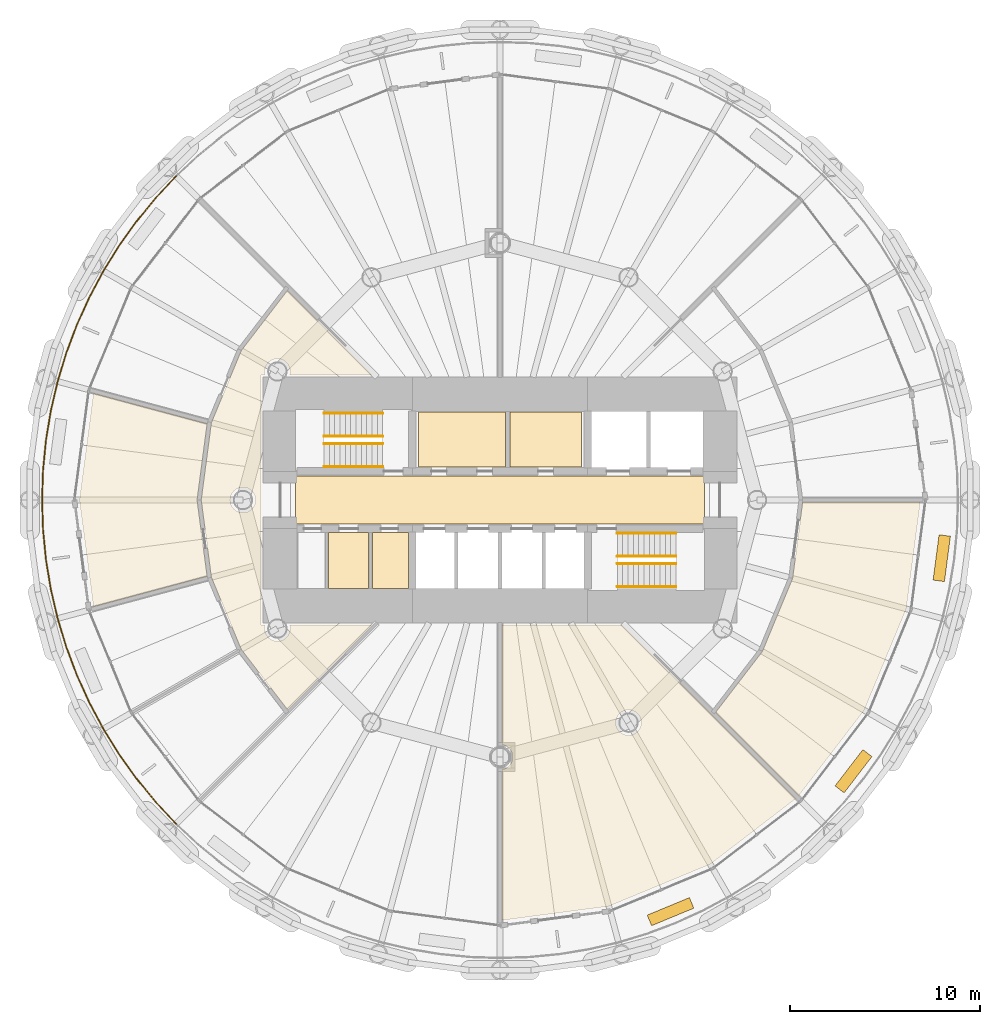
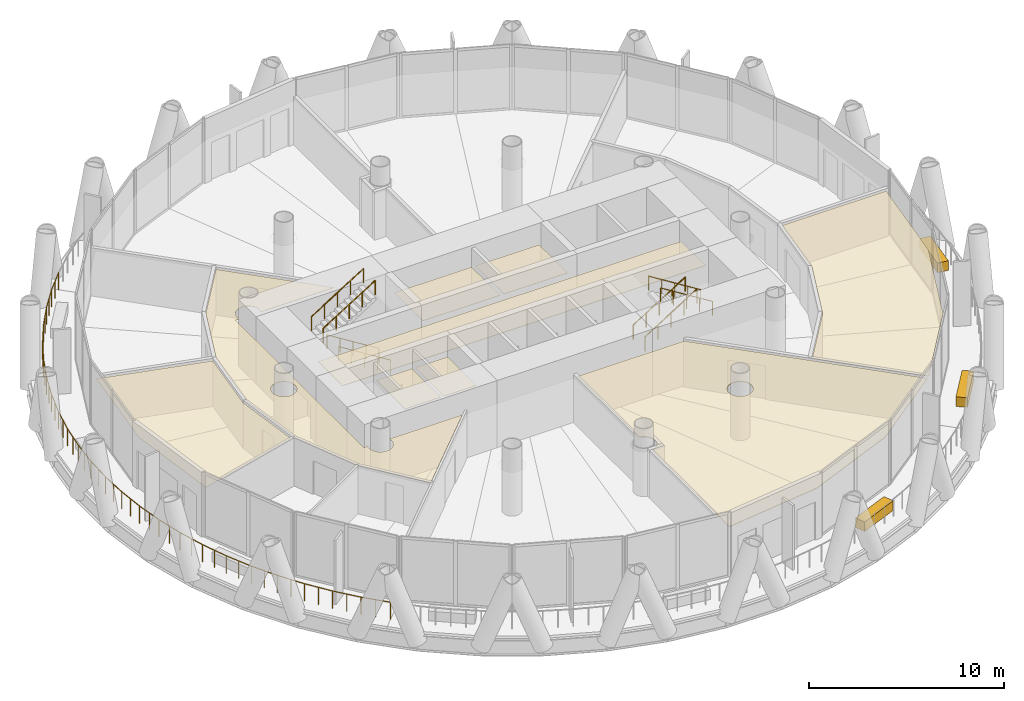
# One storey, part 13 of 15: 12 coverings, 9 railings.
"""IFC4 building model written with IfcOpenShell, lengths in metres."""

import ifcopenshell
import ifcopenshell.guid

model = None  # the IFC model being written
_history = None  # IfcOwnerHistory: only IFC2X3 demands one
_inside = {}  # id of a spatial element -> (the spatial element, [elements in it])
_under = {}  # id of a project, library or spatial element -> (it, [spatial elements below it])
_declared = {}  # id of a project -> (the project, [libraries it declares])
_typed = {}  # id of a type object -> (the type object, [elements of that type])
_made_of = {}  # id of a material, layer set ... -> (it, [elements and type objects made of it])


def new_model(schema):
    """Start an empty IFC model of exactly this schema.

    Asked for "IFC4X3", IfcOpenShell would pick the latest addendum, in which some entities
    have other attributes; the version numbers below select the first issue.
    IFC2X3 requires an IfcOwnerHistory on every rooted entity: one is made here for all.
    """
    global model, _history
    if schema == "IFC4X3":
        model = ifcopenshell.file(schema_version=(4, 3, 0, 0))
    else:
        model = ifcopenshell.file(schema=schema)
    _inside.clear()
    _under.clear()
    _declared.clear()
    _typed.clear()
    _made_of.clear()
    _history = None
    if model.schema == "IFC2X3":
        org = make("IfcOrganization", Name="unknown")
        user = make(
            "IfcPersonAndOrganization",
            ThePerson=make("IfcPerson", FamilyName="unknown"),
            TheOrganization=org,
        )
        app = make(
            "IfcApplication",
            ApplicationDeveloper=org,
            Version="unknown",
            ApplicationFullName="unknown",
            ApplicationIdentifier="unknown",
        )
        _history = make(
            "IfcOwnerHistory",
            OwningUser=user,
            OwningApplication=app,
            ChangeAction="ADDED",
            CreationDate=0,
        )
    return model


def make(cls, **values):
    """One entity of the class cls with the attributes given. An attribute that is None is left unset."""
    return model.create_entity(
        cls, **{name: value for name, value in values.items() if value is not None}
    )


def rooted(cls, **values):
    """An entity with a GlobalId (a new one), such as an element, a storey or a relation."""
    return make(cls, GlobalId=ifcopenshell.guid.new(), OwnerHistory=_history, **values)


def si_unit(unit_type, name, prefix=None):
    """IfcSIUnit, for example si_unit("LENGTHUNIT", "METRE", prefix="MILLI")."""
    return make("IfcSIUnit", UnitType=unit_type, Prefix=prefix, Name=name)


def assignment(units):
    """IfcUnitAssignment: the units of a project."""
    return None if units is None else make("IfcUnitAssignment", Units=units)


def point(xyz):
    """IfcCartesianPoint."""
    return None if xyz is None else make("IfcCartesianPoint", Coordinates=xyz)


def direction(xyz):
    """IfcDirection."""
    return None if xyz is None else make("IfcDirection", DirectionRatios=xyz)


def frame(location, z_axis=None, x_axis=None):
    """IfcAxis2Placement3D, a coordinate frame: its origin and axes. An axis left out is left unset."""
    return make(
        "IfcAxis2Placement3D",
        Location=point(location),
        Axis=direction(z_axis),
        RefDirection=direction(x_axis),
    )


def frame_2d(location, x_axis=None):
    """IfcAxis2Placement2D, a coordinate frame in the plane: its origin and x axis."""
    return make(
        "IfcAxis2Placement2D", Location=point(location), RefDirection=direction(x_axis)
    )


def origin():
    """The frame at (0, 0, 0) with its axes left unset."""
    return frame((0.0, 0.0, 0.0))


def origin_2d():
    """The frame at (0, 0) in the plane with its x axis left unset."""
    return frame_2d((0.0, 0.0))


def place(relative_to, where):
    """IfcLocalPlacement: puts the frame where relative to a parent placement (None: the world)."""
    return make(
        "IfcLocalPlacement", PlacementRelTo=relative_to, RelativePlacement=where
    )


def context(
    kind, dimensions, precision=None, world=None, true_north=None, identifier=None
):
    """IfcGeometricRepresentationContext, for example the 3D "Model" context."""
    return make(
        "IfcGeometricRepresentationContext",
        ContextIdentifier=identifier,
        ContextType=kind,
        CoordinateSpaceDimension=dimensions,
        Precision=precision,
        WorldCoordinateSystem=world,
        TrueNorth=true_north,
    )


def subcontext(parent, identifier, kind, view, scale=None):
    """IfcGeometricRepresentationSubContext, for example "Body" below "Model"."""
    return make(
        "IfcGeometricRepresentationSubContext",
        ContextIdentifier=identifier,
        ContextType=kind,
        ParentContext=parent,
        TargetScale=scale,
        TargetView=view,
    )


def project(units=None, contexts=None):
    """IfcProject with its units and contexts."""
    return rooted(
        "IfcProject",
        Name="project",
        RepresentationContexts=contexts,
        UnitsInContext=assignment(units),
    )


def spatial(cls, under=None, at=None, **own):
    """A site, building, storey or space (cls), placed at a placement, below another one or the project."""
    s = rooted(cls, ObjectPlacement=at, **own)
    if under is not None:
        _under.setdefault(under.id(), (under, []))[1].append(s)
    return s


def polyline(points):
    """IfcPolyline through the points."""
    return make("IfcPolyline", Points=[point(p) for p in points])


def profile(cls, at=None, kind="AREA", **sizes):
    """A parametric profile (cls). Its sizes go by their IFC names, for example OverallWidth=200.0."""
    return make(cls, ProfileType=kind, Position=at, **sizes)


def rectangle(**sizes):
    """IfcRectangleProfileDef."""
    return profile("IfcRectangleProfileDef", **sizes)


def circle(**sizes):
    """IfcCircleProfileDef."""
    return profile("IfcCircleProfileDef", **sizes)


def outline(outer, holes=None, kind="AREA"):
    """IfcArbitraryClosedProfileDef: a profile drawn as a closed curve; with holes, ...WithVoids."""
    if holes is None:
        return make("IfcArbitraryClosedProfileDef", ProfileType=kind, OuterCurve=outer)
    return make(
        "IfcArbitraryProfileDefWithVoids",
        ProfileType=kind,
        OuterCurve=outer,
        InnerCurves=holes,
    )


def extrude(swept, where, along, depth):
    """IfcExtrudedAreaSolid: the profile swept, set in the frame where, extruded along a direction by depth."""
    return make(
        "IfcExtrudedAreaSolid",
        SweptArea=swept,
        Position=where,
        ExtrudedDirection=direction(along),
        Depth=depth,
    )


def shape(context_of_items, identifier, shape_type, items):
    """IfcShapeRepresentation: the items that make up one representation, for example the "Body"."""
    return make(
        "IfcShapeRepresentation",
        ContextOfItems=context_of_items,
        RepresentationIdentifier=identifier,
        RepresentationType=shape_type,
        Items=items,
    )


def material(Name=None, Category=None):
    """IfcMaterial."""
    return make("IfcMaterial", Name=Name, Category=Category)


def layer(
    of_material, thickness, ventilated=None, Name=None, Category=None, Priority=None
):
    """IfcMaterialLayer: one layer of a wall or slab, of a material (None: an air gap)."""
    return make(
        "IfcMaterialLayer",
        Material=of_material,
        LayerThickness=thickness,
        IsVentilated=ventilated,
        Name=Name,
        Category=Category,
        Priority=Priority,
    )


def layer_set(layers, Name=None):
    """IfcMaterialLayerSet."""
    return make("IfcMaterialLayerSet", MaterialLayers=layers, LayerSetName=Name)


def made_of(thing, what):
    """Note that an element or type object is made of a material, layer set ...; save() writes the relation."""
    if what is not None:
        _made_of.setdefault(what.id(), (what, []))[1].append(thing)
    return thing


def type_object(cls, material=None, **own):
    """A type object (cls), such as IfcWallType, which elements share."""
    return made_of(rooted(cls, **own), material)


def element(
    cls,
    number,
    at=None,
    inside=None,
    cuts=None,
    type_object=None,
    material=None,
    context=None,
    identifier="Body",
    shape_type=None,
    held_by="IfcProductDefinitionShape",
    body=None,
    shapes=None,
    **own,
):
    """One element of the class cls, such as IfcWall. Its Tag is "e" and its number.

    at: its placement. inside: the storey or other place that contains it. cuts: it is an
    opening in that element (IfcRelVoidsElement). A single representation is given by context,
    identifier, shape_type and body (its items); several are given by shapes. held_by: the class
    of the entity that holds the representations. save() writes the other relations.
    """
    e = rooted(cls, Tag="e%d" % number, ObjectPlacement=at, **own)
    if body is not None:
        shapes = [shape(context, identifier, shape_type, body)]
    if shapes is not None:
        e.Representation = make(held_by, Representations=shapes)
    if inside is not None:
        _inside.setdefault(inside.id(), (inside, []))[1].append(e)
    if cuts is not None:
        rooted(
            "IfcRelVoidsElement", RelatingBuildingElement=cuts, RelatedOpeningElement=e
        )
    if type_object is not None:
        _typed.setdefault(type_object.id(), (type_object, []))[1].append(e)
    return made_of(e, material)


def aggregate(whole, parts):
    """IfcRelAggregates: a whole, such as a stair, and the parts it consists of."""
    return rooted("IfcRelAggregates", RelatingObject=whole, RelatedObjects=parts)


def save(model, path):
    """Write the relations noted so far, then the file.

    IfcRelAggregates (storeys below a building ...), IfcRelContainedInSpatialStructure (elements
    in a storey), IfcRelDefinesByType, IfcRelAssociatesMaterial and IfcRelDeclares: one each for
    every whole, place, type object, material and project.
    """
    for whole, parts in _under.values():
        aggregate(whole, parts)
    for where, things in _inside.values():
        rooted(
            "IfcRelContainedInSpatialStructure",
            RelatedElements=things,
            RelatingStructure=where,
        )
    for kind, things in _typed.values():
        rooted("IfcRelDefinesByType", RelatedObjects=things, RelatingType=kind)
    for what, things in _made_of.values():
        rooted("IfcRelAssociatesMaterial", RelatedObjects=things, RelatingMaterial=what)
    for by, libraries in _declared.values():
        rooted("IfcRelDeclares", RelatingContext=by, RelatedDefinitions=libraries)
    model.write(path)


model = new_model("IFC4")

# Units and contexts
model_context = context("Model", 3, precision=1e-05, world=origin(), true_north=direction((0.0, 1.0)))
body_context = subcontext(model_context, "Body", "Model", "MODEL_VIEW")
ifc_project = project(units=[si_unit("LENGTHUNIT", "METRE"), si_unit("AREAUNIT", "SQUARE_METRE"), si_unit("VOLUMEUNIT", "CUBIC_METRE"), si_unit("PLANEANGLEUNIT", "RADIAN"), si_unit("MASSUNIT", "GRAM", prefix="KILO")], contexts=[model_context])

# Site, building, storey
site_placement = place(None, origin())
site = spatial("IfcSite", under=ifc_project, at=site_placement, CompositionType="ELEMENT")
building_placement = place(site_placement, origin())
building = spatial("IfcBuilding", under=site, at=building_placement, Name="Qaws Media Tower", CompositionType="ELEMENT")
storey_placement = place(building_placement, frame((0.0, 0.0, 156.199951171875)))
storey = spatial("IfcBuildingStorey", under=building, at=storey_placement, Name="L35", CompositionType="ELEMENT", Elevation=156.199951171875)

# Covering
ifc_material_1 = material(Name="40 perforated acoustic panels with mineral wool backing, suspended", Category="mineral fibre")
ifc_layer_1 = layer(ifc_material_1, 0.0400390625)
ifc_layer_set_1 = layer_set([ifc_layer_1], Name="Acoustic panel ceiling 40")
covering_type_1 = type_object("IfcCoveringType", Name="Acoustic panel ceiling 40", PredefinedType="CEILING", material=ifc_layer_set_1)
covering_1_placement = place(storey_placement, frame((0.0, 0.0, 2.85009765625)))
element("IfcCovering", 1, at=covering_1_placement, inside=storey, type_object=covering_type_1, Name="CL3 ceiling L35-10 IT training room", PredefinedType="CEILING", context=body_context, shape_type="SweptSolid", body=[
    extrude(outline(polyline([(71.04248046875, 30.87353515625), (65.716064453125, 28.667236328125), (60.112548828125, 27.9296875), (60.112548828125, 35.8427734375), (60.1728515625, 35.854736328125), (60.255615234375, 35.8828125), (60.333984375, 35.92138671875), (60.40673828125, 35.969970703125), (60.472412109375, 36.027587890625), (60.530029296875, 36.09326171875), (60.57861328125, 36.166015625), (60.6171875, 36.244384765625), (60.645263671875, 36.3271484375), (60.662353515625, 36.412841796875), (60.66796875, 36.5), (60.662353515625, 36.587158203125), (60.645263671875, 36.6728515625), (60.6171875, 36.755615234375), (60.57861328125, 36.833984375), (60.530029296875, 36.90673828125), (60.472412109375, 36.972412109375), (60.40673828125, 37.030029296875), (60.333984375, 37.07861328125), (60.255615234375, 37.1171875), (60.1728515625, 37.145263671875), (60.112548828125, 37.1572265625), (60.112548828125, 43.4375), (66.4033203125, 43.4375), (75.526611328125, 34.314208984375), (71.04248046875, 30.87353515625)]), holes=[polyline([(67.3671875, 38.052978515625), (67.395263671875, 38.1357421875), (67.412353515625, 38.221435546875), (67.41796875, 38.30859375), (67.412353515625, 38.395751953125), (67.395263671875, 38.4814453125), (67.3671875, 38.564208984375), (67.32861328125, 38.642578125), (67.280029296875, 38.71533203125), (67.222412109375, 38.781005859375), (67.15673828125, 38.838623046875), (67.083984375, 38.88720703125), (67.005615234375, 38.92578125), (66.9228515625, 38.953857421875), (66.837158203125, 38.970947265625), (66.75, 38.976806640625), (66.662841796875, 38.970947265625), (66.5771484375, 38.953857421875), (66.494384765625, 38.92578125), (66.416015625, 38.88720703125), (66.34326171875, 38.838623046875), (66.277587890625, 38.781005859375), (66.219970703125, 38.71533203125), (66.17138671875, 38.642578125), (66.1328125, 38.564208984375), (66.104736328125, 38.4814453125), (66.087646484375, 38.395751953125), (66.08203125, 38.30859375), (66.087646484375, 38.221435546875), (66.104736328125, 38.1357421875), (66.1328125, 38.052978515625), (66.17138671875, 37.974609375), (66.219970703125, 37.902099609375), (66.277587890625, 37.836181640625), (66.34326171875, 37.77880859375), (66.416015625, 37.730224609375), (66.494384765625, 37.69140625), (66.5771484375, 37.663330078125), (66.662841796875, 37.646484375), (66.75, 37.640625), (66.837158203125, 37.646484375), (66.9228515625, 37.663330078125), (67.005615234375, 37.69140625), (67.083984375, 37.730224609375), (67.15673828125, 37.77880859375), (67.222412109375, 37.836181640625), (67.280029296875, 37.902099609375), (67.32861328125, 37.974609375), (67.3671875, 38.052978515625)])]), origin(), (0.0, 0.0, 1.0), 0.0400390625),
])

# Railing
ifc_material_2 = material(Name="Stainless steel and glass guard", Category="steel")
railing_type_1 = type_object("IfcRailingType", Name="Balcony guard 1100", PredefinedType="GUARDRAIL", material=ifc_material_2)
railing_placement = place(storey_placement, frame((42.994140625, 67.005859375, 0.0)))
element("IfcRailing", 2, at=railing_placement, inside=storey, type_object=railing_type_1, Name="GR1 balcony guard L35-2", PredefinedType="GUARDRAIL", context=body_context, shape_type="SweptSolid", body=[
    extrude(circle(Radius=0.02392578125, at=origin_2d()), frame((0.0, 0.0, 1.076171875), z_axis=(-0.683615985201, -0.729841890259, 0.0), x_axis=(0.729841890259, -0.683615985201, 0.0)), (0.0, 0.0, 1.0), 1.573974609375),
    extrude(circle(Radius=0.02392578125, at=origin_2d()), frame((-1.075927734375, -1.148681640625, 1.076171875), z_axis=(-0.634352271014, -0.773044110164, 0.0), x_axis=(0.773044110164, -0.634352271014, 0.0)), (0.0, 0.0, 1.0), 1.57373046875),
    extrude(circle(Radius=0.02392578125, at=origin_2d()), frame((-2.07421875, -2.365234375, 1.076171875), z_axis=(-0.582558231621, -0.812788968165, 0.0), x_axis=(0.812788968165, -0.582558231621, 0.0)), (0.0, 0.0, 1.0), 1.57373046875),
    extrude(circle(Radius=0.02392578125, at=origin_2d()), frame((-2.990966796875, -3.644287109375, 1.076171875), z_axis=(-0.52800366673, -0.84924209029, 0.0), x_axis=(0.84924209029, -0.52800366673, 0.0)), (0.0, 0.0, 1.0), 1.573974609375),
    extrude(circle(Radius=0.02392578125, at=origin_2d()), frame((-3.822021484375, -4.98095703125, 1.076171875), z_axis=(-0.471433439055, -0.881901645616, 0.0), x_axis=(0.881901645616, -0.471433439055, 0.0)), (0.0, 0.0, 1.0), 1.57373046875),
    extrude(circle(Radius=0.02392578125, at=origin_2d()), frame((-4.56396484375, -6.368896484375, 1.076171875), z_axis=(-0.412692163403, -0.910870560654, 0.0), x_axis=(0.910870560654, -0.412692163403, 0.0)), (0.0, 0.0, 1.0), 1.573486328125),
    extrude(circle(Radius=0.02392578125, at=origin_2d()), frame((-5.21337890625, -7.80224609375, 1.076171875), z_axis=(-0.352296190405, -0.935888558658, 0.0), x_axis=(0.935888558658, -0.352296190405, 0.0)), (0.0, 0.0, 1.0), 1.57373046875),
    extrude(circle(Radius=0.02392578125, at=origin_2d()), frame((-5.767822265625, -9.275146484375, 1.076171875), z_axis=(-0.290235570838, -0.956955230625, 0.0), x_axis=(0.956955230625, -0.290235570838, 0.0)), (0.0, 0.0, 1.0), 1.57373046875),
    extrude(circle(Radius=0.02392578125, at=origin_2d()), frame((-6.224609375, -10.78125, 1.076171875), z_axis=(-0.227102114156, -0.973870951279, 0.0), x_axis=(0.973870951279, -0.227102114156, 0.0)), (0.0, 0.0, 1.0), 1.57373046875),
    extrude(circle(Radius=0.02392578125, at=origin_2d()), frame((-6.58203125, -12.31396484375, 1.076171875), z_axis=(-0.16288939503, -0.986644335608, 0.0), x_axis=(0.986644335608, -0.16288939503, 0.0)), (0.0, 0.0, 1.0), 1.57373046875),
    extrude(circle(Radius=0.02392578125, at=origin_2d()), frame((-6.83837890625, -13.86669921875, 1.076171875), z_axis=(-0.098044434613, -0.995182038042, 0.0), x_axis=(0.995182038042, -0.098044434613, 0.0)), (0.0, 0.0, 1.0), 1.57373046875),
    extrude(circle(Radius=0.02392578125, at=origin_2d()), frame((-6.99267578125, -15.432861328125, 1.076171875), z_axis=(-0.032731172502, -0.999464191628, 0.0), x_axis=(0.999464191628, -0.032731172502, 0.0)), (0.0, 0.0, 1.0), 1.57373046875),
    extrude(circle(Radius=0.02392578125, at=origin_2d()), frame((-7.044189453125, -17.005859375, 1.076171875), z_axis=(0.032731172502, -0.999464191628, 0.0), x_axis=(0.999464191628, 0.032731172502, 0.0)), (0.0, 0.0, 1.0), 1.57373046875),
    extrude(circle(Radius=0.02392578125, at=origin_2d()), frame((-6.99267578125, -18.578857421875, 1.076171875), z_axis=(0.098044434613, -0.995182038042, 0.0), x_axis=(0.995182038042, 0.098044434613, 0.0)), (0.0, 0.0, 1.0), 1.57373046875),
    extrude(circle(Radius=0.02392578125, at=origin_2d()), frame((-6.83837890625, -20.14501953125, 1.076171875), z_axis=(0.16288939503, -0.986644335608, 0.0), x_axis=(0.986644335608, 0.16288939503, 0.0)), (0.0, 0.0, 1.0), 1.57373046875),
    extrude(circle(Radius=0.02392578125, at=origin_2d()), frame((-6.58203125, -21.69775390625, 1.076171875), z_axis=(0.227102114156, -0.973870951279, 0.0), x_axis=(0.973870951279, 0.227102114156, 0.0)), (0.0, 0.0, 1.0), 1.57373046875),
    extrude(circle(Radius=0.02392578125, at=origin_2d()), frame((-6.224609375, -23.23046875, 1.076171875), z_axis=(0.290235570838, -0.956955230625, 0.0), x_axis=(0.956955230625, 0.290235570838, 0.0)), (0.0, 0.0, 1.0), 1.57373046875),
    extrude(circle(Radius=0.02392578125, at=origin_2d()), frame((-5.767822265625, -24.736572265625, 1.076171875), z_axis=(0.352296190405, -0.935888558658, 0.0), x_axis=(0.935888558658, 0.352296190405, 0.0)), (0.0, 0.0, 1.0), 1.57373046875),
    extrude(circle(Radius=0.02392578125, at=origin_2d()), frame((-5.21337890625, -26.20947265625, 1.076171875), z_axis=(0.412692163403, -0.910870560654, 0.0), x_axis=(0.910870560654, 0.412692163403, 0.0)), (0.0, 0.0, 1.0), 1.573486328125),
    extrude(circle(Radius=0.02392578125, at=origin_2d()), frame((-4.56396484375, -27.642822265625, 1.076171875), z_axis=(0.471433439055, -0.881901645616, 0.0), x_axis=(0.881901645616, 0.471433439055, 0.0)), (0.0, 0.0, 1.0), 1.57373046875),
    extrude(circle(Radius=0.02392578125, at=origin_2d()), frame((-3.822021484375, -29.03076171875, 1.076171875), z_axis=(0.52800366673, -0.84924209029, 0.0), x_axis=(0.84924209029, 0.52800366673, 0.0)), (0.0, 0.0, 1.0), 1.573974609375),
    extrude(circle(Radius=0.02392578125, at=origin_2d()), frame((-2.990966796875, -30.367431640625, 1.076171875), z_axis=(0.582558231621, -0.812788968165, 0.0), x_axis=(0.812788968165, 0.582558231621, 0.0)), (0.0, 0.0, 1.0), 1.57373046875),
    extrude(circle(Radius=0.02392578125, at=origin_2d()), frame((-2.07421875, -31.646484375, 1.076171875), z_axis=(0.634352271014, -0.773044110164, 0.0), x_axis=(0.773044110164, 0.634352271014, 0.0)), (0.0, 0.0, 1.0), 1.57373046875),
    extrude(circle(Radius=0.02392578125, at=origin_2d()), frame((-1.075927734375, -32.863037109375, 1.076171875), z_axis=(0.683615985201, -0.729841890259, 0.0), x_axis=(0.729841890259, 0.683615985201, 0.0)), (0.0, 0.0, 1.0), 1.573974609375),
    extrude(circle(Radius=0.02099609375, at=origin_2d()), origin(), (0.0, 0.0, 1.0), 1.052001953125),
    extrude(circle(Radius=0.02099609375, at=origin_2d()), frame((-0.5380859375, -0.57421875, 0.0)), (0.0, 0.0, 1.0), 1.052001953125),
    extrude(circle(Radius=0.02099609375, at=origin_2d()), frame((-1.075927734375, -1.148681640625, 0.0)), (0.0, 0.0, 1.0), 1.052001953125),
    extrude(circle(Radius=0.02099609375, at=origin_2d()), frame((-1.5751953125, -1.7568359375, 0.0)), (0.0, 0.0, 1.0), 1.052001953125),
    extrude(circle(Radius=0.02099609375, at=origin_2d()), frame((-2.07421875, -2.365234375, 0.0)), (0.0, 0.0, 1.0), 1.052001953125),
    extrude(circle(Radius=0.02099609375, at=origin_2d()), frame((-2.53271484375, -3.0048828125, 0.0)), (0.0, 0.0, 1.0), 1.052001953125),
    extrude(circle(Radius=0.02099609375, at=origin_2d()), frame((-2.990966796875, -3.644287109375, 0.0)), (0.0, 0.0, 1.0), 1.052001953125),
    extrude(circle(Radius=0.02099609375, at=origin_2d()), frame((-3.406494140625, -4.3125, 0.0)), (0.0, 0.0, 1.0), 1.052001953125),
    extrude(circle(Radius=0.02099609375, at=origin_2d()), frame((-3.822021484375, -4.98095703125, 0.0)), (0.0, 0.0, 1.0), 1.052001953125),
    extrude(circle(Radius=0.02099609375, at=origin_2d()), frame((-4.19287109375, -5.6748046875, 0.0)), (0.0, 0.0, 1.0), 1.052001953125),
    extrude(circle(Radius=0.02099609375, at=origin_2d()), frame((-4.56396484375, -6.368896484375, 0.0)), (0.0, 0.0, 1.0), 1.052001953125),
    extrude(circle(Radius=0.02099609375, at=origin_2d()), frame((-4.888671875, -7.08544921875, 0.0)), (0.0, 0.0, 1.0), 1.052001953125),
    extrude(circle(Radius=0.02099609375, at=origin_2d()), frame((-5.21337890625, -7.80224609375, 0.0)), (0.0, 0.0, 1.0), 1.052001953125),
    extrude(circle(Radius=0.02099609375, at=origin_2d()), frame((-5.49072265625, -8.53857421875, 0.0)), (0.0, 0.0, 1.0), 1.052001953125),
    extrude(circle(Radius=0.02099609375, at=origin_2d()), frame((-5.767822265625, -9.275146484375, 0.0)), (0.0, 0.0, 1.0), 1.052001953125),
    extrude(circle(Radius=0.02099609375, at=origin_2d()), frame((-5.99609375, -10.0283203125, 0.0)), (0.0, 0.0, 1.0), 1.052001953125),
    extrude(circle(Radius=0.02099609375, at=origin_2d()), frame((-6.224609375, -10.78125, 0.0)), (0.0, 0.0, 1.0), 1.052001953125),
    extrude(circle(Radius=0.02099609375, at=origin_2d()), frame((-6.4033203125, -11.547607421875, 0.0)), (0.0, 0.0, 1.0), 1.052001953125),
    extrude(circle(Radius=0.02099609375, at=origin_2d()), frame((-6.58203125, -12.31396484375, 0.0)), (0.0, 0.0, 1.0), 1.052001953125),
    extrude(circle(Radius=0.02099609375, at=origin_2d()), frame((-6.710205078125, -13.09033203125, 0.0)), (0.0, 0.0, 1.0), 1.052001953125),
    extrude(circle(Radius=0.02099609375, at=origin_2d()), frame((-6.83837890625, -13.86669921875, 0.0)), (0.0, 0.0, 1.0), 1.052001953125),
    extrude(circle(Radius=0.02099609375, at=origin_2d()), frame((-6.91552734375, -14.64990234375, 0.0)), (0.0, 0.0, 1.0), 1.052001953125),
    extrude(circle(Radius=0.02099609375, at=origin_2d()), frame((-6.99267578125, -15.432861328125, 0.0)), (0.0, 0.0, 1.0), 1.052001953125),
    extrude(circle(Radius=0.02099609375, at=origin_2d()), frame((-7.0185546875, -16.21923828125, 0.0)), (0.0, 0.0, 1.0), 1.052001953125),
    extrude(circle(Radius=0.02099609375, at=origin_2d()), frame((-7.044189453125, -17.005859375, 0.0)), (0.0, 0.0, 1.0), 1.052001953125),
    extrude(circle(Radius=0.02099609375, at=origin_2d()), frame((-7.0185546875, -17.79248046875, 0.0)), (0.0, 0.0, 1.0), 1.052001953125),
    extrude(circle(Radius=0.02099609375, at=origin_2d()), frame((-6.99267578125, -18.578857421875, 0.0)), (0.0, 0.0, 1.0), 1.052001953125),
    extrude(circle(Radius=0.02099609375, at=origin_2d()), frame((-6.91552734375, -19.36181640625, 0.0)), (0.0, 0.0, 1.0), 1.052001953125),
    extrude(circle(Radius=0.02099609375, at=origin_2d()), frame((-6.83837890625, -20.14501953125, 0.0)), (0.0, 0.0, 1.0), 1.052001953125),
    extrude(circle(Radius=0.02099609375, at=origin_2d()), frame((-6.710205078125, -20.92138671875, 0.0)), (0.0, 0.0, 1.0), 1.052001953125),
    extrude(circle(Radius=0.02099609375, at=origin_2d()), frame((-6.58203125, -21.69775390625, 0.0)), (0.0, 0.0, 1.0), 1.052001953125),
    extrude(circle(Radius=0.02099609375, at=origin_2d()), frame((-6.4033203125, -22.464111328125, 0.0)), (0.0, 0.0, 1.0), 1.052001953125),
    extrude(circle(Radius=0.02099609375, at=origin_2d()), frame((-6.224609375, -23.23046875, 0.0)), (0.0, 0.0, 1.0), 1.052001953125),
    extrude(circle(Radius=0.02099609375, at=origin_2d()), frame((-5.99609375, -23.9833984375, 0.0)), (0.0, 0.0, 1.0), 1.052001953125),
    extrude(circle(Radius=0.02099609375, at=origin_2d()), frame((-5.767822265625, -24.736572265625, 0.0)), (0.0, 0.0, 1.0), 1.052001953125),
    extrude(circle(Radius=0.02099609375, at=origin_2d()), frame((-5.49072265625, -25.47314453125, 0.0)), (0.0, 0.0, 1.0), 1.052001953125),
    extrude(circle(Radius=0.02099609375, at=origin_2d()), frame((-5.21337890625, -26.20947265625, 0.0)), (0.0, 0.0, 1.0), 1.052001953125),
    extrude(circle(Radius=0.02099609375, at=origin_2d()), frame((-4.888671875, -26.92626953125, 0.0)), (0.0, 0.0, 1.0), 1.052001953125),
    extrude(circle(Radius=0.02099609375, at=origin_2d()), frame((-4.56396484375, -27.642822265625, 0.0)), (0.0, 0.0, 1.0), 1.052001953125),
    extrude(circle(Radius=0.02099609375, at=origin_2d()), frame((-4.19287109375, -28.3369140625, 0.0)), (0.0, 0.0, 1.0), 1.052001953125),
    extrude(circle(Radius=0.02099609375, at=origin_2d()), frame((-3.822021484375, -29.03076171875, 0.0)), (0.0, 0.0, 1.0), 1.052001953125),
    extrude(circle(Radius=0.02099609375, at=origin_2d()), frame((-3.406494140625, -29.69921875, 0.0)), (0.0, 0.0, 1.0), 1.052001953125),
    extrude(circle(Radius=0.02099609375, at=origin_2d()), frame((-2.990966796875, -30.367431640625, 0.0)), (0.0, 0.0, 1.0), 1.052001953125),
    extrude(circle(Radius=0.02099609375, at=origin_2d()), frame((-2.53271484375, -31.0068359375, 0.0)), (0.0, 0.0, 1.0), 1.052001953125),
    extrude(circle(Radius=0.02099609375, at=origin_2d()), frame((-2.07421875, -31.646484375, 0.0)), (0.0, 0.0, 1.0), 1.052001953125),
    extrude(circle(Radius=0.02099609375, at=origin_2d()), frame((-1.5751953125, -32.2548828125, 0.0)), (0.0, 0.0, 1.0), 1.052001953125),
    extrude(circle(Radius=0.02099609375, at=origin_2d()), frame((-1.075927734375, -32.863037109375, 0.0)), (0.0, 0.0, 1.0), 1.052001953125),
    extrude(circle(Radius=0.02099609375, at=origin_2d()), frame((-0.5380859375, -33.4375, 0.0)), (0.0, 0.0, 1.0), 1.052001953125),
    extrude(circle(Radius=0.02099609375, at=origin_2d()), frame((0.0, -34.01171875, 0.0)), (0.0, 0.0, 1.0), 1.052001953125),
])

# Coverings
ifc_material_3 = material(Name="600 x 600 mineral fibre tiles in exposed grid, suspended", Category="mineral fibre")
ifc_layer_2 = layer(ifc_material_3, 0.02001953125)
ifc_layer_set_2 = layer_set([ifc_layer_2], Name="Mineral fibre tile ceiling 20")
covering_type_2 = type_object("IfcCoveringType", Name="Mineral fibre tile ceiling 20", PredefinedType="CEILING", material=ifc_layer_set_2)
covering_2_placement = place(storey_placement, frame((0.0, 0.0, 2.85009765625)))
element("IfcCovering", 3, at=covering_2_placement, inside=storey, type_object=covering_type_2, Name="CL1 ceiling L35-C07 Ladies toilets", PredefinedType="CEILING", context=body_context, shape_type="SweptSolid", body=[
    extrude(outline(polyline([(55.719970703125, 51.719970703125), (55.719970703125, 54.6298828125), (60.280029296875, 54.6298828125), (60.280029296875, 51.719970703125), (55.719970703125, 51.719970703125)])), origin(), (0.0, 0.0, 1.0), 0.02001953125),
])
covering_3_placement = place(storey_placement, frame((0.0, 0.0, 2.85009765625)))
element("IfcCovering", 4, at=covering_3_placement, inside=storey, type_object=covering_type_2, Name="CL1 ceiling L35-C08 Gents toilets", PredefinedType="CEILING", context=body_context, shape_type="SweptSolid", body=[
    extrude(outline(polyline([(60.52001953125, 51.719970703125), (60.52001953125, 54.6298828125), (64.280029296875, 54.6298828125), (64.280029296875, 51.719970703125), (60.52001953125, 51.719970703125)])), origin(), (0.0, 0.0, 1.0), 0.02001953125),
])
covering_4_placement = place(storey_placement, frame((0.0, 0.0, 2.85009765625)))
element("IfcCovering", 5, at=covering_4_placement, inside=storey, type_object=covering_type_2, Name="CL1 ceiling L35-01-1 Corridor", PredefinedType="CEILING", context=body_context, shape_type="SweptSolid", body=[
    extrude(outline(polyline([(44.3134765625, 50.0), (44.847900390625, 54.06005859375), (46.4150390625, 57.84326171875), (48.8388671875, 61.001953125), (53.2783203125, 56.5625), (48.948974609375, 56.5625), (48.953857421875, 56.5771484375), (48.970947265625, 56.662841796875), (48.976806640625, 56.75), (48.970947265625, 56.837158203125), (48.953857421875, 56.9228515625), (48.92578125, 57.005615234375), (48.88720703125, 57.083984375), (48.838623046875, 57.15673828125), (48.781005859375, 57.222412109375), (48.71533203125, 57.280029296875), (48.642578125, 57.32861328125), (48.564208984375, 57.3671875), (48.4814453125, 57.395263671875), (48.395751953125, 57.412353515625), (48.30859375, 57.41796875), (48.221435546875, 57.412353515625), (48.1357421875, 57.395263671875), (48.052978515625, 57.3671875), (47.974609375, 57.32861328125), (47.902099609375, 57.280029296875), (47.836181640625, 57.222412109375), (47.77880859375, 57.15673828125), (47.730224609375, 57.083984375), (47.69140625, 57.005615234375), (47.663330078125, 56.9228515625), (47.646484375, 56.837158203125), (47.640625, 56.75), (47.646484375, 56.662841796875), (47.663330078125, 56.5771484375), (47.66845703125, 56.5625), (47.4375, 56.5625), (47.4375, 43.4375), (47.66845703125, 43.4375), (47.663330078125, 43.4228515625), (47.646484375, 43.337158203125), (47.640625, 43.25), (47.646484375, 43.162841796875), (47.663330078125, 43.0771484375), (47.69140625, 42.994384765625), (47.730224609375, 42.916015625), (47.77880859375, 42.84326171875), (47.836181640625, 42.777587890625), (47.902099609375, 42.719970703125), (47.974609375, 42.67138671875), (48.052978515625, 42.6328125), (48.1357421875, 42.604736328125), (48.221435546875, 42.587646484375), (48.30859375, 42.58203125), (48.395751953125, 42.587646484375), (48.4814453125, 42.604736328125), (48.564208984375, 42.6328125), (48.642578125, 42.67138671875), (48.71533203125, 42.719970703125), (48.781005859375, 42.777587890625), (48.838623046875, 42.84326171875), (48.88720703125, 42.916015625), (48.92578125, 42.994384765625), (48.953857421875, 43.0771484375), (48.970947265625, 43.162841796875), (48.976806640625, 43.25), (48.970947265625, 43.337158203125), (48.953857421875, 43.4228515625), (48.948974609375, 43.4375), (53.2783203125, 43.4375), (48.8388671875, 38.998046875), (46.4150390625, 42.15673828125), (44.847900390625, 45.93994140625), (44.3134765625, 50.0)]), holes=[polyline([(47.1171875, 49.744384765625), (47.145263671875, 49.8271484375), (47.162353515625, 49.912841796875), (47.16796875, 50.0), (47.162353515625, 50.087158203125), (47.145263671875, 50.1728515625), (47.1171875, 50.255615234375), (47.07861328125, 50.333984375), (47.030029296875, 50.40673828125), (46.972412109375, 50.472412109375), (46.90673828125, 50.530029296875), (46.833984375, 50.57861328125), (46.755615234375, 50.6171875), (46.6728515625, 50.645263671875), (46.587158203125, 50.662353515625), (46.5, 50.66796875), (46.412841796875, 50.662353515625), (46.3271484375, 50.645263671875), (46.244384765625, 50.6171875), (46.166015625, 50.57861328125), (46.09326171875, 50.530029296875), (46.027587890625, 50.472412109375), (45.969970703125, 50.40673828125), (45.92138671875, 50.333984375), (45.8828125, 50.255615234375), (45.854736328125, 50.1728515625), (45.837646484375, 50.087158203125), (45.83203125, 50.0), (45.837646484375, 49.912841796875), (45.854736328125, 49.8271484375), (45.8828125, 49.744384765625), (45.92138671875, 49.666015625), (45.969970703125, 49.59326171875), (46.027587890625, 49.527587890625), (46.09326171875, 49.469970703125), (46.166015625, 49.42138671875), (46.244384765625, 49.3828125), (46.3271484375, 49.354736328125), (46.412841796875, 49.337646484375), (46.5, 49.33203125), (46.587158203125, 49.337646484375), (46.6728515625, 49.354736328125), (46.755615234375, 49.3828125), (46.833984375, 49.42138671875), (46.90673828125, 49.469970703125), (46.972412109375, 49.527587890625), (47.030029296875, 49.59326171875), (47.07861328125, 49.666015625), (47.1171875, 49.744384765625)])]), origin(), (0.0, 0.0, 1.0), 0.02001953125),
])
covering_5_placement = place(storey_placement, frame((0.0, 0.0, 2.85009765625)))
element("IfcCovering", 6, at=covering_5_placement, inside=storey, type_object=covering_type_2, Name="CL1 ceiling L35-06 Server room", PredefinedType="CEILING", context=body_context, shape_type="SweptSolid", body=[
    extrude(outline(polyline([(37.914794921875, 50.0), (38.652587890625, 55.603515625), (44.614013671875, 54.006103515625), (44.08642578125, 50.0), (44.614013671875, 45.993896484375), (38.652587890625, 44.396484375), (37.914794921875, 50.0)])), origin(), (0.0, 0.0, 1.0), 0.02001953125),
])
covering_6_placement = place(storey_placement, frame((0.0, 0.0, 2.85009765625)))
element("IfcCovering", 7, at=covering_6_placement, inside=storey, type_object=covering_type_2, Name="CL1 ceiling L35-C06 Mothers' room", PredefinedType="CEILING", context=body_context, shape_type="SweptSolid", body=[
    extrude(outline(polyline([(53.300048828125, 45.35009765625), (53.300048828125, 48.300048828125), (55.199951171875, 48.300048828125), (55.199951171875, 45.35009765625), (53.300048828125, 45.35009765625)])), origin(), (0.0, 0.0, 1.0), 0.02001953125),
])
ifc_material_4 = material(Name="Precast concrete planter with trailing planting", Category="concrete")
ifc_layer_3 = layer(ifc_material_4, 0.60009765625)
ifc_layer_set_3 = layer_set([ifc_layer_3], Name="Planter 2400x600")
covering_type_3 = type_object("IfcCoveringType", Name="Planter 2400x600", PredefinedType="USERDEFINED", material=ifc_layer_set_3)
for number, where, z_axis, x_axis, name in (
    (8, (68.954833984375, 28.381103515625, 0.0), (0.0, 0.0, 1.0), (0.923879532511, 0.382683432365, 0.0), "PL1 balcony planter L35-10"),
    (9, (78.564453125, 35.7548828125, 0.0), (0.0, 0.0, 1.0), (0.608761429009, 0.793353340291, 0.0), "PL1 balcony planter L35-11"),
    (10, (83.19970703125, 46.94580078125, 0.0), (0.0, 0.0, 1.0), (0.13052619222, 0.991444861374, 0.0), "PL1 balcony planter L35-12"),
):
    element("IfcCovering", number, at=place(storey_placement, frame(where, z_axis=z_axis, x_axis=x_axis)), inside=storey, type_object=covering_type_3, Name=name, ObjectType="PLANTER", PredefinedType="USERDEFINED", context=body_context, shape_type="SweptSolid", body=[
        extrude(rectangle(XDim=2.39990234375, YDim=0.60009765625, at=origin_2d()), origin(), (0.0, 0.0, 1.0), 0.60009765625),
    ])
ifc_material_5 = material(Name="Two layers 12.5 moisture-resistant plasterboard on suspended metal furring", Category="gypsum")
ifc_layer_4 = layer(ifc_material_5, 0.02490234375)
ifc_layer_set_4 = layer_set([ifc_layer_4], Name="Plasterboard ceiling 25")
covering_type_4 = type_object("IfcCoveringType", Name="Plasterboard ceiling 25", PredefinedType="CEILING", material=ifc_layer_set_4)
covering_7_placement = place(storey_placement, frame((0.0, 0.0, 2.85009765625)))
element("IfcCovering", 11, at=covering_7_placement, inside=storey, type_object=covering_type_4, Name="CL2 ceiling L35-C01 Lift lobby", PredefinedType="CEILING", context=body_context, shape_type="SweptSolid", body=[
    extrude(outline(polyline([(49.25, 48.75), (49.25, 51.25), (70.75, 51.25), (70.75, 48.75), (49.25, 48.75)])), origin(), (0.0, 0.0, 1.0), 0.02490234375),
])
covering_8_placement = place(storey_placement, frame((0.0, 0.0, 2.85009765625)))
element("IfcCovering", 12, at=covering_8_placement, inside=storey, type_object=covering_type_4, Name="CL2 ceiling L35-11 IT service office", PredefinedType="CEILING", context=body_context, shape_type="SweptSolid", body=[
    extrude(outline(polyline([(81.332763671875, 44.283935546875), (79.12646484375, 38.95751953125), (75.685791015625, 34.473388671875), (71.321533203125, 38.83740234375), (73.781494140625, 42.043212890625), (75.37109375, 45.88134765625), (75.898681640625, 49.887451171875), (82.0703125, 49.887451171875), (81.332763671875, 44.283935546875)])), origin(), (0.0, 0.0, 1.0), 0.02490234375),
])
covering_9_placement = place(storey_placement, frame((0.0, 0.0, 2.85009765625)))
element("IfcCovering", 13, at=covering_9_placement, inside=storey, type_object=covering_type_4, Name="CL2 ceiling L35-C05 Accessible WC", PredefinedType="CEILING", context=body_context, shape_type="SweptSolid", body=[
    extrude(outline(polyline([(51.0, 45.35009765625), (51.0, 48.300048828125), (53.10009765625, 48.300048828125), (53.10009765625, 45.35009765625), (51.0, 45.35009765625)])), origin(), (0.0, 0.0, 1.0), 0.02490234375),
])

# Railings
ifc_material_6 = material(Name="Steel tube handrail", Category="steel")
railing_type_2 = type_object("IfcRailingType", Name="Stair handrail 900", PredefinedType="HANDRAIL", material=ifc_material_6)
for number, where, name in (
    (14, (53.840087890625, 51.75, 0.175048828125), "HR1 handrail S1 flight 1 L35"),
    (15, (53.840087890625, 52.9599609375, 0.175048828125), "HR1 handrail S1 flight 1 L35"),
):
    element("IfcRailing", number, at=place(storey_placement, frame(where)), inside=storey, type_object=railing_type_2, Name=name, PredefinedType="HANDRAIL", context=body_context, shape_type="SweptSolid", body=[
        extrude(circle(Radius=0.02392578125, at=origin_2d()), frame((0.0, 0.0, 0.8759765625), z_axis=(-0.847998304005, 0.0, 0.529998940003), x_axis=(0.0, -1.0, 0.0)), (0.0, 0.0, 1.0), 3.632080078125),
        extrude(circle(Radius=0.02099609375, at=origin_2d()), origin(), (0.0, 0.0, 1.0), 0.851806640625),
        extrude(circle(Radius=0.02099609375, at=origin_2d()), frame((-0.77001953125, 0.0, 0.481201171875)), (0.0, 0.0, 1.0), 0.851806640625),
        extrude(circle(Radius=0.02099609375, at=origin_2d()), frame((-1.5400390625, 0.0, 0.96240234375)), (0.0, 0.0, 1.0), 0.851806640625),
        extrude(circle(Radius=0.02099609375, at=origin_2d()), frame((-2.31005859375, 0.0, 1.44384765625)), (0.0, 0.0, 1.0), 0.851806640625),
        extrude(circle(Radius=0.02099609375, at=origin_2d()), frame((-3.080078125, 0.0, 1.925048828125)), (0.0, 0.0, 1.0), 0.851806640625),
    ])
for number, where, name in (
    (16, (50.760009765625, 54.550048828125, 2.275146484375), "HR1 handrail S1 flight 2 L35"),
    (17, (50.760009765625, 53.340087890625, 2.275146484375), "HR1 handrail S1 flight 2 L35"),
):
    element("IfcRailing", number, at=place(storey_placement, frame(where)), inside=storey, type_object=railing_type_2, Name=name, PredefinedType="HANDRAIL", context=body_context, shape_type="SweptSolid", body=[
        extrude(circle(Radius=0.02392578125, at=origin_2d()), frame((0.0, 0.0, 0.8759765625), z_axis=(0.848028513186, 0.0, 0.529950602248), x_axis=(0.0, 1.0, 0.0)), (0.0, 0.0, 1.0), 3.632080078125),
        extrude(circle(Radius=0.02099609375, at=origin_2d()), origin(), (0.0, 0.0, 1.0), 0.851806640625),
        extrude(circle(Radius=0.02099609375, at=origin_2d()), frame((0.77001953125, 0.0, 0.481201171875)), (0.0, 0.0, 1.0), 0.851806640625),
        extrude(circle(Radius=0.02099609375, at=origin_2d()), frame((1.5400390625, 0.0, 0.96240234375)), (0.0, 0.0, 1.0), 0.851806640625),
        extrude(circle(Radius=0.02099609375, at=origin_2d()), frame((2.31005859375, 0.0, 1.443603515625)), (0.0, 0.0, 1.0), 0.851806640625),
        extrude(circle(Radius=0.02099609375, at=origin_2d()), frame((3.080078125, 0.0, 1.9248046875)), (0.0, 0.0, 1.0), 0.851806640625),
    ])
for number, where, name in (
    (18, (66.159912109375, 48.25, 0.175048828125), "HR1 handrail S2 flight 1 L35"),
    (19, (66.159912109375, 47.0400390625, 0.175048828125), "HR1 handrail S2 flight 1 L35"),
):
    element("IfcRailing", number, at=place(storey_placement, frame(where)), inside=storey, type_object=railing_type_2, Name=name, PredefinedType="HANDRAIL", context=body_context, shape_type="SweptSolid", body=[
        extrude(circle(Radius=0.02392578125, at=origin_2d()), frame((0.0, 0.0, 0.8759765625), z_axis=(0.847998304005, 0.0, 0.529998940003), x_axis=(0.0, 1.0, 0.0)), (0.0, 0.0, 1.0), 3.632080078125),
        extrude(circle(Radius=0.02099609375, at=origin_2d()), origin(), (0.0, 0.0, 1.0), 0.851806640625),
        extrude(circle(Radius=0.02099609375, at=origin_2d()), frame((0.77001953125, 0.0, 0.481201171875)), (0.0, 0.0, 1.0), 0.851806640625),
        extrude(circle(Radius=0.02099609375, at=origin_2d()), frame((1.5400390625, 0.0, 0.96240234375)), (0.0, 0.0, 1.0), 0.851806640625),
        extrude(circle(Radius=0.02099609375, at=origin_2d()), frame((2.31005859375, 0.0, 1.44384765625)), (0.0, 0.0, 1.0), 0.851806640625),
        extrude(circle(Radius=0.02099609375, at=origin_2d()), frame((3.080078125, 0.0, 1.925048828125)), (0.0, 0.0, 1.0), 0.851806640625),
    ])
for number, where, name in (
    (20, (69.239990234375, 45.449951171875, 2.275146484375), "HR1 handrail S2 flight 2 L35"),
    (21, (69.239990234375, 46.659912109375, 2.275146484375), "HR1 handrail S2 flight 2 L35"),
):
    element("IfcRailing", number, at=place(storey_placement, frame(where)), inside=storey, type_object=railing_type_2, Name=name, PredefinedType="HANDRAIL", context=body_context, shape_type="SweptSolid", body=[
        extrude(circle(Radius=0.02392578125, at=origin_2d()), frame((0.0, 0.0, 0.8759765625), z_axis=(-0.848028513186, 0.0, 0.529950602248), x_axis=(0.0, -1.0, 0.0)), (0.0, 0.0, 1.0), 3.632080078125),
        extrude(circle(Radius=0.02099609375, at=origin_2d()), origin(), (0.0, 0.0, 1.0), 0.851806640625),
        extrude(circle(Radius=0.02099609375, at=origin_2d()), frame((-0.77001953125, 0.0, 0.481201171875)), (0.0, 0.0, 1.0), 0.851806640625),
        extrude(circle(Radius=0.02099609375, at=origin_2d()), frame((-1.5400390625, 0.0, 0.96240234375)), (0.0, 0.0, 1.0), 0.851806640625),
        extrude(circle(Radius=0.02099609375, at=origin_2d()), frame((-2.31005859375, 0.0, 1.443603515625)), (0.0, 0.0, 1.0), 0.851806640625),
        extrude(circle(Radius=0.02099609375, at=origin_2d()), frame((-3.080078125, 0.0, 1.9248046875)), (0.0, 0.0, 1.0), 0.851806640625),
    ])

save(model, "model.ifc")
